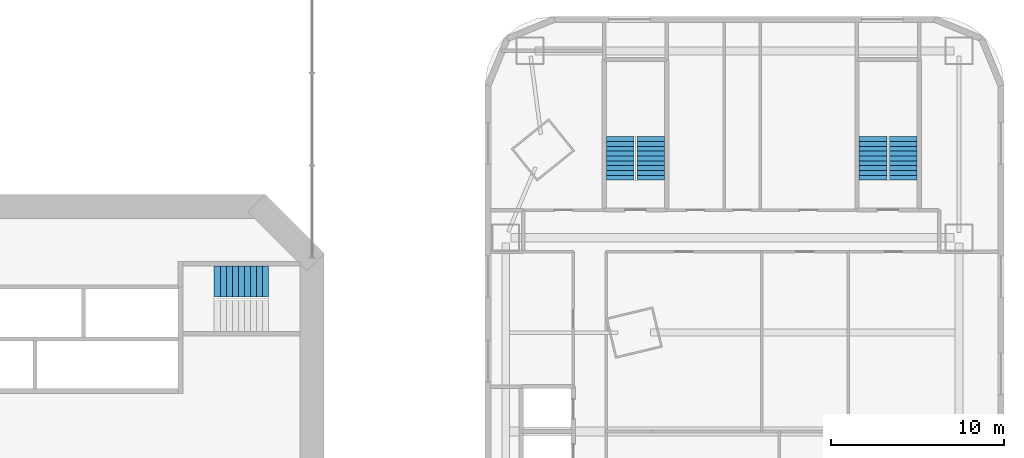
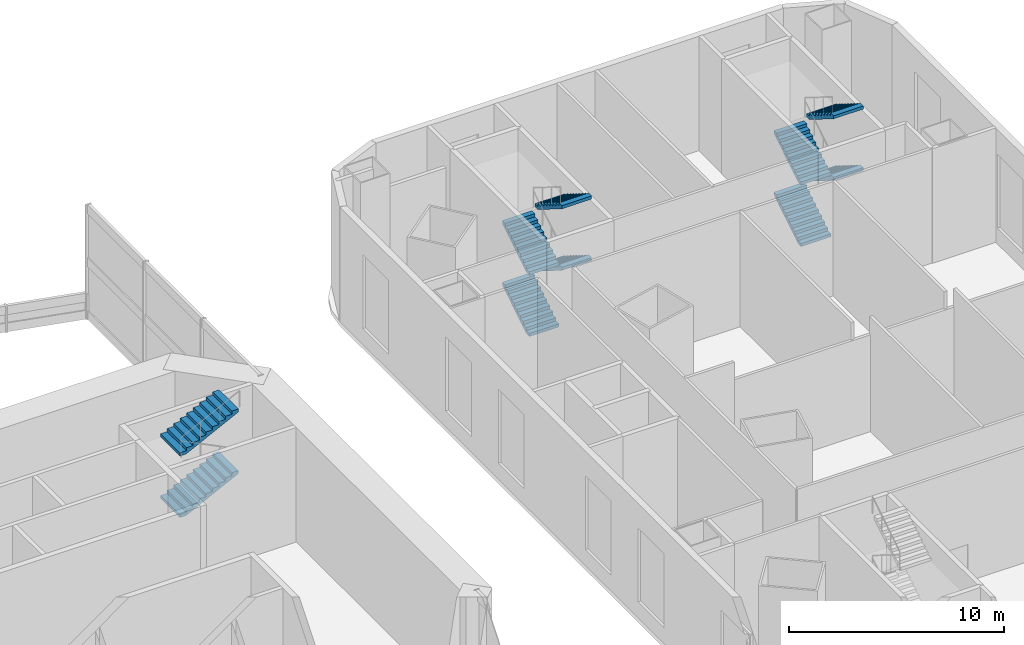
# One storey, part 17 of 19: 10 stair flights, 3 elements without a shape of their own.
"""IFC4 building model written with IfcOpenShell, lengths in metres."""

from ifc_helpers import new_model, si_unit, direction, frame, origin, place, context, subcontext, project, spatial, polyline, outline, extrude, material, type_object, element, aggregate, save


model = new_model("IFC4")

# Units and contexts
model_context = context("Model", 3, precision=1e-05, world=origin(), true_north=direction((0.0, 1.0)))
body_context = subcontext(model_context, "Body", "Model", "MODEL_VIEW")
ifc_project = project(units=[si_unit("LENGTHUNIT", "METRE"), si_unit("AREAUNIT", "SQUARE_METRE"), si_unit("VOLUMEUNIT", "CUBIC_METRE"), si_unit("PLANEANGLEUNIT", "RADIAN"), si_unit("MASSUNIT", "GRAM", prefix="KILO")], contexts=[model_context])

# Site, building, storey
site_placement = place(None, origin())
site = spatial("IfcSite", under=ifc_project, at=site_placement, CompositionType="ELEMENT")
building_placement = place(site_placement, origin())
building = spatial("IfcBuilding", under=site, at=building_placement, Name="Marenthal Gate Tower", CompositionType="ELEMENT")
storey_placement = place(building_placement, frame((0.0, 0.0, 19.0)))
storey = spatial("IfcBuildingStorey", under=building, at=storey_placement, Name="L02", CompositionType="ELEMENT", Elevation=19.0)

# Stair, stair flights
ifc_material_1 = material(Name="Concrete 40 MPa", Category="concrete")
stair_type_1 = type_object("IfcStairType", Name="Exit stair 1600", PredefinedType="HALF_TURN_STAIR", material=ifc_material_1)
stair_1_placement = place(storey_placement, origin())
stair_1 = element("IfcStair", 1, at=stair_1_placement, inside=storey, type_object=stair_type_1, Name="Stair E1", PredefinedType="HALF_TURN_STAIR")
ifc_material_2 = material(Name="Concrete 40 MPa", Category="concrete")
stair_flight_type_1 = type_object("IfcStairFlightType", Name="Stair flight 1600", PredefinedType="STRAIGHT", material=ifc_material_2)
stair_flight_1_placement = place(storey_placement, frame((33.824951171875, 14.52490234375, 0.0), z_axis=(0.0, 0.0, 1.0), x_axis=(0.0, 1.0, 0.0)))
stair_flight_1 = element("IfcStairFlight", 2, at=stair_flight_1_placement, type_object=stair_flight_type_1, Name="E1 flight 1", NumberOfRisers=10, NumberOfTreads=9, PredefinedType="STRAIGHT", RiserHeight=0.175, TreadLength=0.28, context=body_context, shape_type="SweptSolid", body=[
    extrude(outline(polyline([(0.0, 0.0), (0.0, 0.175048828125), (0.280029296875, 0.175048828125), (0.280029296875, 0.35009765625), (0.56005859375, 0.35009765625), (0.56005859375, 0.52490234375), (0.840087890625, 0.52490234375), (0.840087890625, 0.699951171875), (1.1201171875, 0.699951171875), (1.1201171875, 0.875), (1.39990234375, 0.875), (1.39990234375, 1.050048828125), (1.679931640625, 1.050048828125), (1.679931640625, 1.22509765625), (1.9599609375, 1.22509765625), (1.9599609375, 1.39990234375), (2.239990234375, 1.39990234375), (2.239990234375, 1.574951171875), (2.52001953125, 1.574951171875), (2.52001953125, 1.75), (2.52001953125, 1.398193359375), (0.28271484375, 0.0), (0.0, 0.0)])), frame((0.0, 0.800048828125, 0.0), z_axis=(0.0, -1.0, 0.0), x_axis=(1.0, 0.0, 0.0)), (0.0, 0.0, 1.0), 1.60009765625),
])
stair_flight_2_placement = place(storey_placement, frame((35.574951171875, 17.044921875, 1.75), z_axis=(0.0, 0.0, 1.0), x_axis=(0.0, -1.0, 0.0)))
stair_flight_2 = element("IfcStairFlight", 3, at=stair_flight_2_placement, type_object=stair_flight_type_1, Name="E1 flight 2", NumberOfRisers=10, NumberOfTreads=9, PredefinedType="STRAIGHT", RiserHeight=0.175, TreadLength=0.28, context=body_context, shape_type="SweptSolid", body=[
    extrude(outline(polyline([(0.0, 0.0), (0.0, 0.175048828125), (0.280029296875, 0.175048828125), (0.280029296875, 0.35009765625), (0.56005859375, 0.35009765625), (0.56005859375, 0.52490234375), (0.840087890625, 0.52490234375), (0.840087890625, 0.699951171875), (1.1201171875, 0.699951171875), (1.1201171875, 0.875), (1.39990234375, 0.875), (1.39990234375, 1.050048828125), (1.679931640625, 1.050048828125), (1.679931640625, 1.22509765625), (1.9599609375, 1.22509765625), (1.9599609375, 1.39990234375), (2.239990234375, 1.39990234375), (2.239990234375, 1.574951171875), (2.52001953125, 1.574951171875), (2.52001953125, 1.75), (2.52001953125, 1.398193359375), (0.28271484375, 0.0), (0.0, 0.0)])), frame((0.0, 0.800048828125, 0.0), z_axis=(0.0, -1.0, 0.0), x_axis=(1.0, 0.0, 0.0)), (0.0, 0.0, 1.0), 1.60009765625),
])
stair_flight_3_placement = place(storey_placement, frame((33.824951171875, 14.52490234375, 3.5), z_axis=(0.0, 0.0, 1.0), x_axis=(0.0, 1.0, 0.0)))
stair_flight_3 = element("IfcStairFlight", 4, at=stair_flight_3_placement, type_object=stair_flight_type_1, Name="E1 flight 3", NumberOfRisers=10, NumberOfTreads=9, PredefinedType="STRAIGHT", RiserHeight=0.175, TreadLength=0.28, context=body_context, shape_type="SweptSolid", body=[
    extrude(outline(polyline([(0.0, 0.0), (0.0, 0.175048828125), (0.280029296875, 0.175048828125), (0.280029296875, 0.35009765625), (0.56005859375, 0.35009765625), (0.56005859375, 0.52490234375), (0.840087890625, 0.52490234375), (0.840087890625, 0.699951171875), (1.1201171875, 0.699951171875), (1.1201171875, 0.875), (1.39990234375, 0.875), (1.39990234375, 1.050048828125), (1.679931640625, 1.050048828125), (1.679931640625, 1.22509765625), (1.9599609375, 1.22509765625), (1.9599609375, 1.39990234375), (2.239990234375, 1.39990234375), (2.239990234375, 1.574951171875), (2.52001953125, 1.574951171875), (2.52001953125, 1.75), (2.52001953125, 1.398193359375), (0.28271484375, 0.0), (0.0, 0.0)])), frame((0.0, 0.800048828125, 0.0), z_axis=(0.0, -1.0, 0.0), x_axis=(1.0, 0.0, 0.0)), (0.0, 0.0, 1.0), 1.60009765625),
])
stair_flight_4_placement = place(storey_placement, frame((35.574951171875, 17.044921875, 5.25), z_axis=(0.0, 0.0, 1.0), x_axis=(0.0, -1.0, 0.0)))
stair_flight_4 = element("IfcStairFlight", 5, at=stair_flight_4_placement, type_object=stair_flight_type_1, Name="E1 flight 4", NumberOfRisers=10, NumberOfTreads=9, PredefinedType="STRAIGHT", RiserHeight=0.175, TreadLength=0.28, context=body_context, shape_type="SweptSolid", body=[
    extrude(outline(polyline([(0.0, 0.0), (0.0, 0.175048828125), (0.280029296875, 0.175048828125), (0.280029296875, 0.35009765625), (0.56005859375, 0.35009765625), (0.56005859375, 0.52490234375), (0.840087890625, 0.52490234375), (0.840087890625, 0.699951171875), (1.1201171875, 0.699951171875), (1.1201171875, 0.875), (1.39990234375, 0.875), (1.39990234375, 1.050048828125), (1.679931640625, 1.050048828125), (1.679931640625, 1.22509765625), (1.9599609375, 1.22509765625), (1.9599609375, 1.39990234375), (2.239990234375, 1.39990234375), (2.239990234375, 1.574951171875), (2.52001953125, 1.574951171875), (2.52001953125, 1.75), (2.52001953125, 1.398193359375), (0.28271484375, 0.0), (0.0, 0.0)])), frame((0.0, 0.800048828125, 0.0), z_axis=(0.0, -1.0, 0.0), x_axis=(1.0, 0.0, 0.0)), (0.0, 0.0, 1.0), 1.60009765625),
])
aggregate(stair_1, [stair_flight_1, stair_flight_2, stair_flight_3, stair_flight_4])

stair_2_placement = place(storey_placement, origin())
stair_2 = element("IfcStair", 6, at=stair_2_placement, inside=storey, type_object=stair_type_1, Name="Stair E3", PredefinedType="HALF_TURN_STAIR")
stair_flight_5_placement = place(storey_placement, frame((48.425048828125, 14.52490234375, 0.0), z_axis=(0.0, 0.0, 1.0), x_axis=(0.0, 1.0, 0.0)))
stair_flight_5 = element("IfcStairFlight", 7, at=stair_flight_5_placement, type_object=stair_flight_type_1, Name="E3 flight 1", NumberOfRisers=10, NumberOfTreads=9, PredefinedType="STRAIGHT", RiserHeight=0.175, TreadLength=0.28, context=body_context, shape_type="SweptSolid", body=[
    extrude(outline(polyline([(0.0, 0.0), (0.0, 0.175048828125), (0.280029296875, 0.175048828125), (0.280029296875, 0.35009765625), (0.56005859375, 0.35009765625), (0.56005859375, 0.52490234375), (0.840087890625, 0.52490234375), (0.840087890625, 0.699951171875), (1.1201171875, 0.699951171875), (1.1201171875, 0.875), (1.39990234375, 0.875), (1.39990234375, 1.050048828125), (1.679931640625, 1.050048828125), (1.679931640625, 1.22509765625), (1.9599609375, 1.22509765625), (1.9599609375, 1.39990234375), (2.239990234375, 1.39990234375), (2.239990234375, 1.574951171875), (2.52001953125, 1.574951171875), (2.52001953125, 1.75), (2.52001953125, 1.398193359375), (0.28271484375, 0.0), (0.0, 0.0)])), frame((0.0, 0.800048828125, 0.0), z_axis=(0.0, -1.0, 0.0), x_axis=(1.0, 0.0, 0.0)), (0.0, 0.0, 1.0), 1.60009765625),
])
stair_flight_6_placement = place(storey_placement, frame((50.175048828125, 17.044921875, 1.75), z_axis=(0.0, 0.0, 1.0), x_axis=(0.0, -1.0, 0.0)))
stair_flight_6 = element("IfcStairFlight", 8, at=stair_flight_6_placement, type_object=stair_flight_type_1, Name="E3 flight 2", NumberOfRisers=10, NumberOfTreads=9, PredefinedType="STRAIGHT", RiserHeight=0.175, TreadLength=0.28, context=body_context, shape_type="SweptSolid", body=[
    extrude(outline(polyline([(0.0, 0.0), (0.0, 0.175048828125), (0.280029296875, 0.175048828125), (0.280029296875, 0.35009765625), (0.56005859375, 0.35009765625), (0.56005859375, 0.52490234375), (0.840087890625, 0.52490234375), (0.840087890625, 0.699951171875), (1.1201171875, 0.699951171875), (1.1201171875, 0.875), (1.39990234375, 0.875), (1.39990234375, 1.050048828125), (1.679931640625, 1.050048828125), (1.679931640625, 1.22509765625), (1.9599609375, 1.22509765625), (1.9599609375, 1.39990234375), (2.239990234375, 1.39990234375), (2.239990234375, 1.574951171875), (2.52001953125, 1.574951171875), (2.52001953125, 1.75), (2.52001953125, 1.398193359375), (0.28271484375, 0.0), (0.0, 0.0)])), frame((0.0, 0.800048828125, 0.0), z_axis=(0.0, -1.0, 0.0), x_axis=(1.0, 0.0, 0.0)), (0.0, 0.0, 1.0), 1.60009765625),
])
stair_flight_7_placement = place(storey_placement, frame((48.425048828125, 14.52490234375, 3.5), z_axis=(0.0, 0.0, 1.0), x_axis=(0.0, 1.0, 0.0)))
stair_flight_7 = element("IfcStairFlight", 9, at=stair_flight_7_placement, type_object=stair_flight_type_1, Name="E3 flight 3", NumberOfRisers=10, NumberOfTreads=9, PredefinedType="STRAIGHT", RiserHeight=0.175, TreadLength=0.28, context=body_context, shape_type="SweptSolid", body=[
    extrude(outline(polyline([(0.0, 0.0), (0.0, 0.175048828125), (0.280029296875, 0.175048828125), (0.280029296875, 0.35009765625), (0.56005859375, 0.35009765625), (0.56005859375, 0.52490234375), (0.840087890625, 0.52490234375), (0.840087890625, 0.699951171875), (1.1201171875, 0.699951171875), (1.1201171875, 0.875), (1.39990234375, 0.875), (1.39990234375, 1.050048828125), (1.679931640625, 1.050048828125), (1.679931640625, 1.22509765625), (1.9599609375, 1.22509765625), (1.9599609375, 1.39990234375), (2.239990234375, 1.39990234375), (2.239990234375, 1.574951171875), (2.52001953125, 1.574951171875), (2.52001953125, 1.75), (2.52001953125, 1.398193359375), (0.28271484375, 0.0), (0.0, 0.0)])), frame((0.0, 0.800048828125, 0.0), z_axis=(0.0, -1.0, 0.0), x_axis=(1.0, 0.0, 0.0)), (0.0, 0.0, 1.0), 1.60009765625),
])
stair_flight_8_placement = place(storey_placement, frame((50.175048828125, 17.044921875, 5.25), z_axis=(0.0, 0.0, 1.0), x_axis=(0.0, -1.0, 0.0)))
stair_flight_8 = element("IfcStairFlight", 10, at=stair_flight_8_placement, type_object=stair_flight_type_1, Name="E3 flight 4", NumberOfRisers=10, NumberOfTreads=9, PredefinedType="STRAIGHT", RiserHeight=0.175, TreadLength=0.28, context=body_context, shape_type="SweptSolid", body=[
    extrude(outline(polyline([(0.0, 0.0), (0.0, 0.175048828125), (0.280029296875, 0.175048828125), (0.280029296875, 0.35009765625), (0.56005859375, 0.35009765625), (0.56005859375, 0.52490234375), (0.840087890625, 0.52490234375), (0.840087890625, 0.699951171875), (1.1201171875, 0.699951171875), (1.1201171875, 0.875), (1.39990234375, 0.875), (1.39990234375, 1.050048828125), (1.679931640625, 1.050048828125), (1.679931640625, 1.22509765625), (1.9599609375, 1.22509765625), (1.9599609375, 1.39990234375), (2.239990234375, 1.39990234375), (2.239990234375, 1.574951171875), (2.52001953125, 1.574951171875), (2.52001953125, 1.75), (2.52001953125, 1.398193359375), (0.28271484375, 0.0), (0.0, 0.0)])), frame((0.0, 0.800048828125, 0.0), z_axis=(0.0, -1.0, 0.0), x_axis=(1.0, 0.0, 0.0)), (0.0, 0.0, 1.0), 1.60009765625),
])
aggregate(stair_2, [stair_flight_5, stair_flight_6, stair_flight_7, stair_flight_8])

ifc_material_3 = material(Name="Concrete 40 MPa", Category="concrete")
stair_type_2 = type_object("IfcStairType", Name="Exit stair 1800", PredefinedType="HALF_TURN_STAIR", material=ifc_material_3)
stair_3_placement = place(storey_placement, origin())
stair_3 = element("IfcStair", 11, at=stair_3_placement, inside=storey, type_object=stair_type_2, Name="Stair ST3", PredefinedType="HALF_TURN_STAIR")
ifc_material_4 = material(Name="Concrete 40 MPa", Category="concrete")
stair_flight_type_2 = type_object("IfcStairFlightType", Name="Stair flight 1800", PredefinedType="STRAIGHT", material=ifc_material_4)
stair_flight_9_placement = place(storey_placement, frame((10.35009765625, 8.675048828125, 1.75), z_axis=(0.0, 0.0, 1.0), x_axis=(1.0, 0.0, 0.0)))
stair_flight_9 = element("IfcStairFlight", 12, at=stair_flight_9_placement, type_object=stair_flight_type_2, Name="ST3 flight 2", NumberOfRisers=10, NumberOfTreads=9, PredefinedType="STRAIGHT", RiserHeight=0.175, TreadLength=0.35, context=body_context, shape_type="SweptSolid", body=[
    extrude(outline(polyline([(0.0, 0.0), (0.0, 0.175048828125), (0.35009765625, 0.175048828125), (0.35009765625, 0.35009765625), (0.699951171875, 0.35009765625), (0.699951171875, 0.52490234375), (1.050048828125, 0.52490234375), (1.050048828125, 0.699951171875), (1.39990234375, 0.699951171875), (1.39990234375, 0.875), (1.75, 0.875), (1.75, 1.050048828125), (2.10009765625, 1.050048828125), (2.10009765625, 1.22509765625), (2.449951171875, 1.22509765625), (2.449951171875, 1.39990234375), (2.800048828125, 1.39990234375), (2.800048828125, 1.574951171875), (3.14990234375, 1.574951171875), (3.14990234375, 1.75), (3.14990234375, 1.407470703125), (0.335205078125, 0.0), (0.0, 0.0)])), frame((0.0, 0.89990234375, 0.0), z_axis=(0.0, -1.0, 0.0), x_axis=(1.0, 0.0, 0.0)), (0.0, 0.0, 1.0), 1.800048828125),
])
stair_flight_10_placement = place(storey_placement, frame((10.35009765625, 8.675048828125, 5.25), z_axis=(0.0, 0.0, 1.0), x_axis=(1.0, 0.0, 0.0)))
stair_flight_10 = element("IfcStairFlight", 13, at=stair_flight_10_placement, type_object=stair_flight_type_2, Name="ST3 flight 4", NumberOfRisers=10, NumberOfTreads=9, PredefinedType="STRAIGHT", RiserHeight=0.175, TreadLength=0.35, context=body_context, shape_type="SweptSolid", body=[
    extrude(outline(polyline([(0.0, 0.0), (0.0, 0.175048828125), (0.35009765625, 0.175048828125), (0.35009765625, 0.35009765625), (0.699951171875, 0.35009765625), (0.699951171875, 0.52490234375), (1.050048828125, 0.52490234375), (1.050048828125, 0.699951171875), (1.39990234375, 0.699951171875), (1.39990234375, 0.875), (1.75, 0.875), (1.75, 1.050048828125), (2.10009765625, 1.050048828125), (2.10009765625, 1.22509765625), (2.449951171875, 1.22509765625), (2.449951171875, 1.39990234375), (2.800048828125, 1.39990234375), (2.800048828125, 1.574951171875), (3.14990234375, 1.574951171875), (3.14990234375, 1.75), (3.14990234375, 1.407470703125), (0.335205078125, 0.0), (0.0, 0.0)])), frame((0.0, 0.89990234375, 0.0), z_axis=(0.0, -1.0, 0.0), x_axis=(1.0, 0.0, 0.0)), (0.0, 0.0, 1.0), 1.800048828125),
])
aggregate(stair_3, [stair_flight_9, stair_flight_10])

save(model, "model.ifc")
